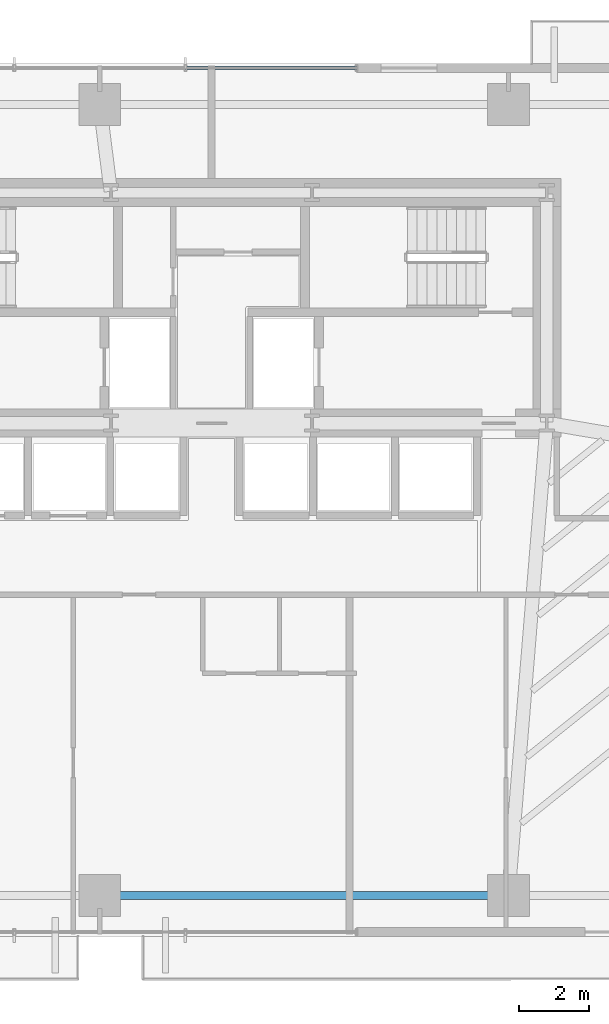
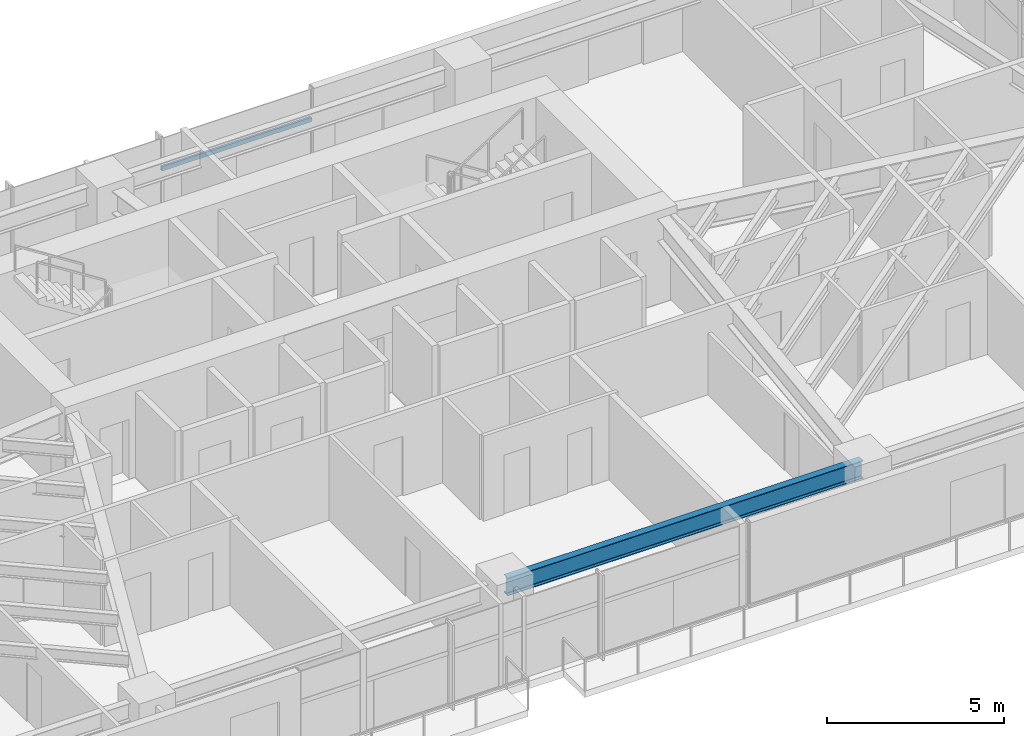
# One storey, part 11 of 25: 1 beam, 1 member, 1 element without a shape of its own.
"""IFC4 building model written with IfcOpenShell, lengths in metres."""

from ifc_helpers import new_model, si_unit, direction, frame, origin, origin_2d, place, context, subcontext, project, spatial, hollow_rectangle, i_section, extrude, source, transform, mapped, material, material_profile, profile_set, type_object, type_shapes, element, aggregate, save


model = new_model("IFC4")

# Units and contexts
model_context = context("Model", 3, precision=1e-05, world=origin(), true_north=direction((0.0, 1.0)))
body_context = subcontext(model_context, "Body", "Model", "MODEL_VIEW")
ifc_project = project(units=[si_unit("LENGTHUNIT", "METRE"), si_unit("AREAUNIT", "SQUARE_METRE"), si_unit("VOLUMEUNIT", "CUBIC_METRE"), si_unit("PLANEANGLEUNIT", "RADIAN"), si_unit("MASSUNIT", "GRAM", prefix="KILO")], contexts=[model_context])

# Site, building, storey
site_placement = place(None, origin())
site = spatial("IfcSite", under=ifc_project, at=site_placement, CompositionType="ELEMENT")
building_placement = place(site_placement, origin())
building = spatial("IfcBuilding", under=site, at=building_placement, Name="Astriad Promenade Condominiums", CompositionType="ELEMENT")
storey_placement = place(building_placement, frame((0.0, 0.0, 61.39990234375)))
storey = spatial("IfcBuildingStorey", under=building, at=storey_placement, Name="L17", CompositionType="ELEMENT", Elevation=61.39990234375)

# Beam
ifc_material_1 = material(Name="Steel ASTM A992 Grade 50", Category="steel")
ifc_material_profile_1 = material_profile(ifc_material_1, i_section(OverallWidth=0.22900390625, OverallDepth=0.612060546875, WebThickness=0.011962890625, FlangeThickness=0.01953125, FilletRadius=0.017822265625, at=origin_2d()), Name="W24X84")
ifc_profile_set_1 = profile_set([ifc_material_profile_1], Name="Steel ASTM A992 Grade 50")
beam_type = type_object("IfcBeamType", Name="STEEL SPANDREL BEAM W24X84", PredefinedType="SPANDREL", material=ifc_profile_set_1)
shared_shape_1 = source(origin(), body_context, "Body", "SweptSolid", [
    extrude(i_section(OverallWidth=0.22900390625, OverallDepth=0.612060546875, WebThickness=0.011962890625, FlangeThickness=0.01953125, FilletRadius=0.017822265625, at=origin_2d()), origin(), (0.0, 0.0, 1.0), 11.619873046875),
])
type_shapes(beam_type, [shared_shape_1])
beam_placement = place(storey_placement, frame((32.840087890625, 3.8798828125, 2.634033203125), z_axis=(1.0, 0.0, 0.0), x_axis=(0.0, 1.0, 0.0)))
element("IfcBeam", 1, at=beam_placement, inside=storey, type_object=beam_type, Name="Perimeter Spandrel Beam SP-S3-L17", PredefinedType="SPANDREL", context=body_context, shape_type="MappedRepresentation", body=[
    mapped(shared_shape_1, transform((0.0, 0.0, 0.0), scale=1.0)),
])

# Curtain wall, member
ifc_material_2 = material(Name="Anodised aluminium Black Dark Glass Unitised", Category="aluminium")
curtain_wall_type = type_object("IfcCurtainWallType", Name="CW-B1-DARK", PredefinedType="USERDEFINED", material=ifc_material_2)
curtain_wall_placement = place(storey_placement, origin())
curtain_wall = element("IfcCurtainWall", 2, at=curtain_wall_placement, inside=storey, type_object=curtain_wall_type, Name="CW-L17-N", ObjectType="UNITISED_CURTAIN_WALL", PredefinedType="USERDEFINED")
ifc_material_3 = material(Name="Anodised aluminium 6063-T6 Black", Category="aluminium")
ifc_material_profile_2 = material_profile(ifc_material_3, hollow_rectangle(XDim=0.074951171875, YDim=0.14990234375, WallThickness=0.004150390625, at=origin_2d()), Name="ALU-TRN-75X150")
ifc_profile_set_2 = profile_set([ifc_material_profile_2], Name="Anodised aluminium 6063-T6 Black")
member_type = type_object("IfcMemberType", Name="TRN-ALU-TRN-75X150", PredefinedType="USERDEFINED", material=ifc_profile_set_2)
shared_shape_2 = source(origin(), body_context, "Body", "SweptSolid", [
    extrude(hollow_rectangle(XDim=0.074951171875, YDim=0.14990234375, WallThickness=0.004150390625, at=origin_2d()), origin(), (0.0, 0.0, 1.0), 4.89990234375),
])
type_shapes(member_type, [shared_shape_2])
member_placement = place(storey_placement, frame((35.25, 27.570068359375, 1.822998046875), z_axis=(1.0, 0.0, 0.0), x_axis=(0.0, 1.0, 0.0)))
member = element("IfcMember", 3, at=member_placement, type_object=member_type, Name="CW-L17-N-TRN-02-0", ObjectType="TRANSOM", PredefinedType="USERDEFINED", context=body_context, shape_type="MappedRepresentation", body=[
    mapped(shared_shape_2, transform((0.0, 0.0, 0.0), scale=1.0)),
])
aggregate(curtain_wall, [member])

save(model, "model.ifc")
